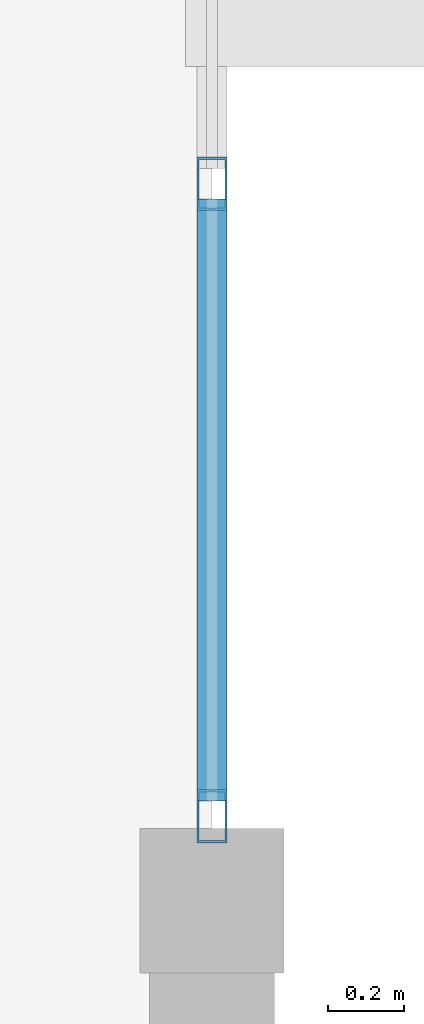
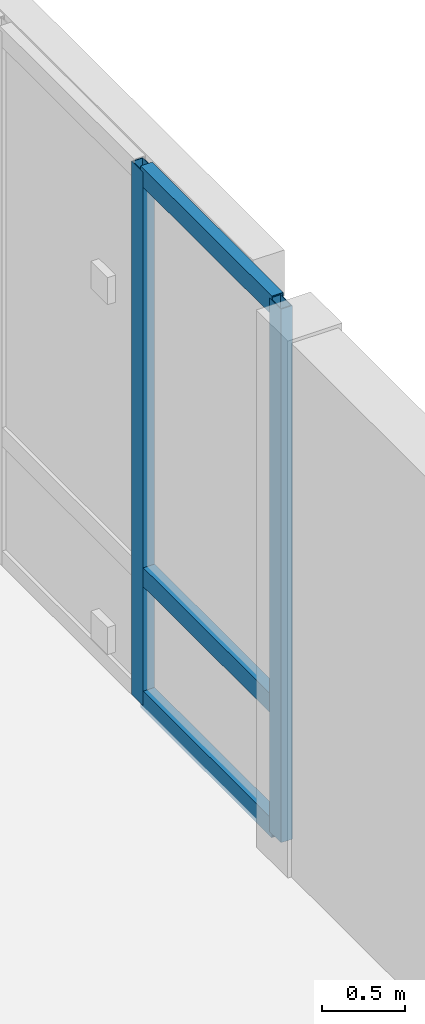
# One storey, part 29 of 61: 5 members, 1 element without a shape of its own.
"""IFC4 building model written with IfcOpenShell, lengths in metres."""

from ifc_helpers import new_model, si_unit, direction, frame, origin, origin_2d, place, context, subcontext, project, spatial, hollow_rectangle, extrude, material, layer, layer_set, material_profile, profile_set, type_object, element, aggregate, save


model = new_model("IFC4")

# Units and contexts
model_context = context("Model", 3, precision=1e-05, world=origin(), true_north=direction((0.0, 1.0)))
body_context = subcontext(model_context, "Body", "Model", "MODEL_VIEW")
ifc_project = project(units=[si_unit("LENGTHUNIT", "METRE"), si_unit("AREAUNIT", "SQUARE_METRE"), si_unit("VOLUMEUNIT", "CUBIC_METRE"), si_unit("PLANEANGLEUNIT", "RADIAN"), si_unit("MASSUNIT", "GRAM", prefix="KILO")], contexts=[model_context])

# Site, building, storey
site_placement = place(None, origin())
site = spatial("IfcSite", under=ifc_project, at=site_placement, CompositionType="ELEMENT")
building_placement = place(site_placement, origin())
building = spatial("IfcBuilding", under=site, at=building_placement, Name="Mazaris Harbour Polytechnic", CompositionType="ELEMENT")
storey_placement = place(building_placement, frame((0.0, 0.0, 18.0)))
storey = spatial("IfcBuildingStorey", under=building, at=storey_placement, Name="L04", CompositionType="ELEMENT", Elevation=18.0)

# Curtain wall, members
ifc_material_1 = material(Name="Anodised Bronze Aluminium and Low-E Glass", Category="aluminium")
ifc_layer = layer(ifc_material_1, 0.159912109375, Name="Anodised Bronze Aluminium and Low-E Glass")
ifc_layer_set = layer_set([ifc_layer], Name="Anodised Bronze Aluminium and Low-E Glass")
curtain_wall_type = type_object("IfcCurtainWallType", Name="Cloister Court Curtain Wall", PredefinedType="NOTDEFINED", material=ifc_layer_set)
curtain_wall_placement = place(storey_placement, origin())
curtain_wall = element("IfcCurtainWall", 1, at=curtain_wall_placement, inside=storey, type_object=curtain_wall_type, Name="V4 L04 Curtain Wall 166", PredefinedType="NOTDEFINED")
ifc_material_2 = material(Name="Anodised Bronze Steel S355", Category="steel")
ifc_material_profile_1 = material_profile(ifc_material_2, hollow_rectangle(XDim=0.080078125, YDim=0.139892578125, WallThickness=0.00634765625, at=origin_2d()), Name="RHS 80x140x6.3")
ifc_profile_set_1 = profile_set([ifc_material_profile_1], Name="Anodised Bronze Steel S355")
member_type_1 = type_object("IfcMemberType", Name="Curtain Mullion RHS80x140", PredefinedType="MULLION", material=ifc_profile_set_1)
member_1_placement = place(storey_placement, frame((43.199951171875, 70.285888671875, 0.0), z_axis=(0.0, 0.0, 1.0), x_axis=(1.0, 0.0, 0.0)))
member_1 = element("IfcMember", 2, at=member_1_placement, type_object=member_type_1, Name="CW-02 mullion 4", PredefinedType="MULLION", context=body_context, shape_type="SweptSolid", body=[
    extrude(hollow_rectangle(XDim=0.080078125, YDim=0.139892578125, WallThickness=0.00634765625, at=origin_2d()), origin(), (0.0, 0.0, 1.0), 3.93505859375),
])
member_2_placement = place(storey_placement, frame((43.199951171875, 68.6220703125, 0.0), z_axis=(0.0, 0.0, 1.0), x_axis=(1.0, 0.0, 0.0)))
member_2 = element("IfcMember", 3, at=member_2_placement, type_object=member_type_1, Name="CW-02 mullion 5", PredefinedType="MULLION", context=body_context, shape_type="SweptSolid", body=[
    extrude(hollow_rectangle(XDim=0.080078125, YDim=0.139892578125, WallThickness=0.00634765625, at=origin_2d()), origin(), (0.0, 0.0, 1.0), 3.93505859375),
])
ifc_material_3 = material(Name="Anodised Bronze Steel S355", Category="steel")
ifc_material_profile_2 = material_profile(ifc_material_3, hollow_rectangle(XDim=0.080078125, YDim=0.139892578125, WallThickness=0.00634765625, at=origin_2d()), Name="RHS 80x140x6.3")
ifc_profile_set_2 = profile_set([ifc_material_profile_2], Name="Anodised Bronze Steel S355")
member_type_2 = type_object("IfcMemberType", Name="Curtain Transom RHS80x140", PredefinedType="USERDEFINED", material=ifc_profile_set_2)
member_3_placement = place(storey_placement, frame((43.199951171875, 70.24609375, 0.0400390625), z_axis=(0.0, -1.0, 0.0), x_axis=(1.0, 0.0, 0.0)))
member_3 = element("IfcMember", 4, at=member_3_placement, type_object=member_type_2, Name="CW-02 transom 4.1", ObjectType="TRANSOM", PredefinedType="USERDEFINED", context=body_context, shape_type="SweptSolid", body=[
    extrude(hollow_rectangle(XDim=0.080078125, YDim=0.139892578125, WallThickness=0.00634765625, at=origin_2d()), origin(), (0.0, 0.0, 1.0), 1.583984375),
])
member_4_placement = place(storey_placement, frame((43.199951171875, 70.24609375, 0.949951171875), z_axis=(0.0, -1.0, 0.0), x_axis=(1.0, 0.0, 0.0)))
member_4 = element("IfcMember", 5, at=member_4_placement, type_object=member_type_2, Name="CW-02 transom 4.2", ObjectType="TRANSOM", PredefinedType="USERDEFINED", context=body_context, shape_type="SweptSolid", body=[
    extrude(hollow_rectangle(XDim=0.080078125, YDim=0.139892578125, WallThickness=0.00634765625, at=origin_2d()), origin(), (0.0, 0.0, 1.0), 1.583984375),
])
member_5_placement = place(storey_placement, frame((43.199951171875, 70.24609375, 3.89501953125), z_axis=(0.0, -1.0, 0.0), x_axis=(1.0, 0.0, 0.0)))
member_5 = element("IfcMember", 6, at=member_5_placement, type_object=member_type_2, Name="CW-02 transom 4.3", ObjectType="TRANSOM", PredefinedType="USERDEFINED", context=body_context, shape_type="SweptSolid", body=[
    extrude(hollow_rectangle(XDim=0.080078125, YDim=0.139892578125, WallThickness=0.00634765625, at=origin_2d()), origin(), (0.0, 0.0, 1.0), 1.583984375),
])
aggregate(curtain_wall, [member_1, member_2, member_3, member_4, member_5])

save(model, "model.ifc")
